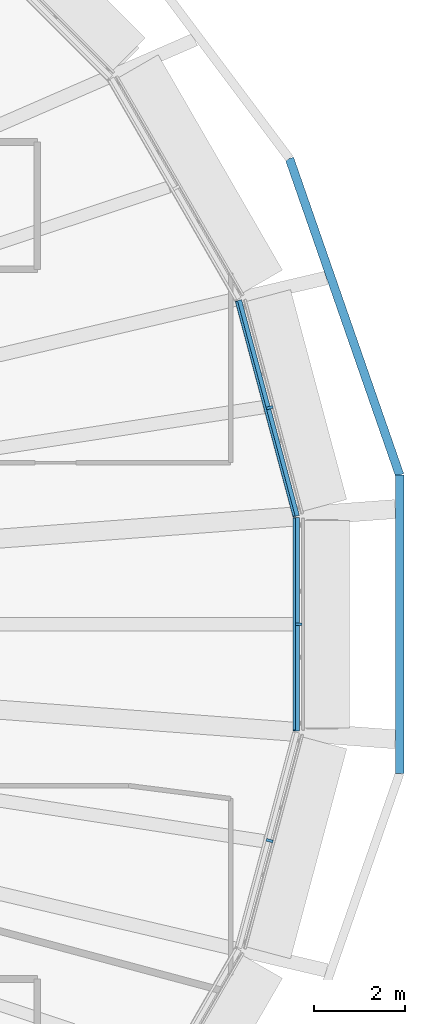
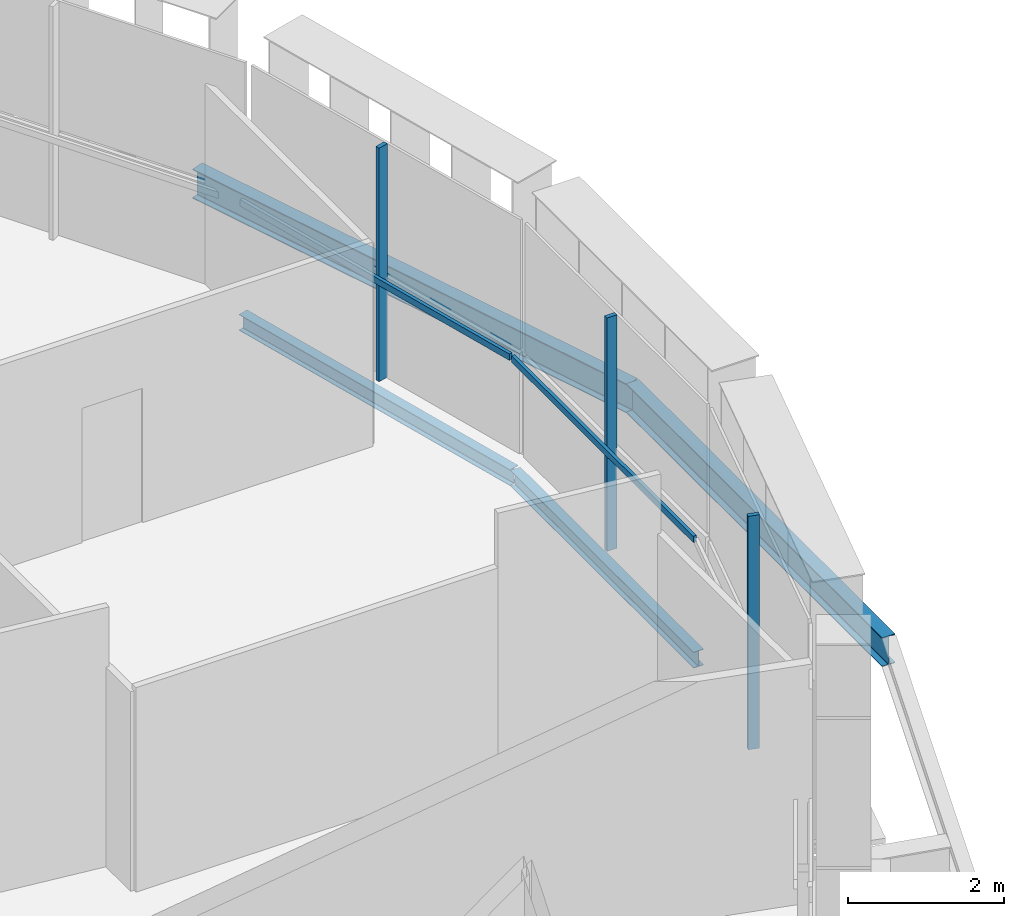
# One storey, part 11 of 24: 5 members, 4 beams, 3 elements without a shape of their own.
"""IFC4 building model written with IfcOpenShell, lengths in metres."""

import ifcopenshell
import ifcopenshell.guid

model = None  # the IFC model being written
_history = None  # IfcOwnerHistory: only IFC2X3 demands one
_inside = {}  # id of a spatial element -> (the spatial element, [elements in it])
_under = {}  # id of a project, library or spatial element -> (it, [spatial elements below it])
_declared = {}  # id of a project -> (the project, [libraries it declares])
_typed = {}  # id of a type object -> (the type object, [elements of that type])
_made_of = {}  # id of a material, layer set ... -> (it, [elements and type objects made of it])


def new_model(schema):
    """Start an empty IFC model of exactly this schema.

    Asked for "IFC4X3", IfcOpenShell would pick the latest addendum, in which some entities
    have other attributes; the version numbers below select the first issue.
    IFC2X3 requires an IfcOwnerHistory on every rooted entity: one is made here for all.
    """
    global model, _history
    if schema == "IFC4X3":
        model = ifcopenshell.file(schema_version=(4, 3, 0, 0))
    else:
        model = ifcopenshell.file(schema=schema)
    _inside.clear()
    _under.clear()
    _declared.clear()
    _typed.clear()
    _made_of.clear()
    _history = None
    if model.schema == "IFC2X3":
        org = make("IfcOrganization", Name="unknown")
        user = make(
            "IfcPersonAndOrganization",
            ThePerson=make("IfcPerson", FamilyName="unknown"),
            TheOrganization=org,
        )
        app = make(
            "IfcApplication",
            ApplicationDeveloper=org,
            Version="unknown",
            ApplicationFullName="unknown",
            ApplicationIdentifier="unknown",
        )
        _history = make(
            "IfcOwnerHistory",
            OwningUser=user,
            OwningApplication=app,
            ChangeAction="ADDED",
            CreationDate=0,
        )
    return model


def make(cls, **values):
    """One entity of the class cls with the attributes given. An attribute that is None is left unset."""
    return model.create_entity(
        cls, **{name: value for name, value in values.items() if value is not None}
    )


def rooted(cls, **values):
    """An entity with a GlobalId (a new one), such as an element, a storey or a relation."""
    return make(cls, GlobalId=ifcopenshell.guid.new(), OwnerHistory=_history, **values)


def si_unit(unit_type, name, prefix=None):
    """IfcSIUnit, for example si_unit("LENGTHUNIT", "METRE", prefix="MILLI")."""
    return make("IfcSIUnit", UnitType=unit_type, Prefix=prefix, Name=name)


def assignment(units):
    """IfcUnitAssignment: the units of a project."""
    return None if units is None else make("IfcUnitAssignment", Units=units)


def point(xyz):
    """IfcCartesianPoint."""
    return None if xyz is None else make("IfcCartesianPoint", Coordinates=xyz)


def direction(xyz):
    """IfcDirection."""
    return None if xyz is None else make("IfcDirection", DirectionRatios=xyz)


def frame(location, z_axis=None, x_axis=None):
    """IfcAxis2Placement3D, a coordinate frame: its origin and axes. An axis left out is left unset."""
    return make(
        "IfcAxis2Placement3D",
        Location=point(location),
        Axis=direction(z_axis),
        RefDirection=direction(x_axis),
    )


def frame_2d(location, x_axis=None):
    """IfcAxis2Placement2D, a coordinate frame in the plane: its origin and x axis."""
    return make(
        "IfcAxis2Placement2D", Location=point(location), RefDirection=direction(x_axis)
    )


def origin():
    """The frame at (0, 0, 0) with its axes left unset."""
    return frame((0.0, 0.0, 0.0))


def origin_2d():
    """The frame at (0, 0) in the plane with its x axis left unset."""
    return frame_2d((0.0, 0.0))


def place(relative_to, where):
    """IfcLocalPlacement: puts the frame where relative to a parent placement (None: the world)."""
    return make(
        "IfcLocalPlacement", PlacementRelTo=relative_to, RelativePlacement=where
    )


def context(
    kind, dimensions, precision=None, world=None, true_north=None, identifier=None
):
    """IfcGeometricRepresentationContext, for example the 3D "Model" context."""
    return make(
        "IfcGeometricRepresentationContext",
        ContextIdentifier=identifier,
        ContextType=kind,
        CoordinateSpaceDimension=dimensions,
        Precision=precision,
        WorldCoordinateSystem=world,
        TrueNorth=true_north,
    )


def subcontext(parent, identifier, kind, view, scale=None):
    """IfcGeometricRepresentationSubContext, for example "Body" below "Model"."""
    return make(
        "IfcGeometricRepresentationSubContext",
        ContextIdentifier=identifier,
        ContextType=kind,
        ParentContext=parent,
        TargetScale=scale,
        TargetView=view,
    )


def project(units=None, contexts=None):
    """IfcProject with its units and contexts."""
    return rooted(
        "IfcProject",
        Name="project",
        RepresentationContexts=contexts,
        UnitsInContext=assignment(units),
    )


def spatial(cls, under=None, at=None, **own):
    """A site, building, storey or space (cls), placed at a placement, below another one or the project."""
    s = rooted(cls, ObjectPlacement=at, **own)
    if under is not None:
        _under.setdefault(under.id(), (under, []))[1].append(s)
    return s


def profile(cls, at=None, kind="AREA", **sizes):
    """A parametric profile (cls). Its sizes go by their IFC names, for example OverallWidth=200.0."""
    return make(cls, ProfileType=kind, Position=at, **sizes)


def rectangle(**sizes):
    """IfcRectangleProfileDef."""
    return profile("IfcRectangleProfileDef", **sizes)


def i_section(**sizes):
    """IfcIShapeProfileDef."""
    return profile("IfcIShapeProfileDef", **sizes)


def extrude(swept, where, along, depth):
    """IfcExtrudedAreaSolid: the profile swept, set in the frame where, extruded along a direction by depth."""
    return make(
        "IfcExtrudedAreaSolid",
        SweptArea=swept,
        Position=where,
        ExtrudedDirection=direction(along),
        Depth=depth,
    )


def shape(context_of_items, identifier, shape_type, items):
    """IfcShapeRepresentation: the items that make up one representation, for example the "Body"."""
    return make(
        "IfcShapeRepresentation",
        ContextOfItems=context_of_items,
        RepresentationIdentifier=identifier,
        RepresentationType=shape_type,
        Items=items,
    )


def material(Name=None, Category=None):
    """IfcMaterial."""
    return make("IfcMaterial", Name=Name, Category=Category)


def layer(
    of_material, thickness, ventilated=None, Name=None, Category=None, Priority=None
):
    """IfcMaterialLayer: one layer of a wall or slab, of a material (None: an air gap)."""
    return make(
        "IfcMaterialLayer",
        Material=of_material,
        LayerThickness=thickness,
        IsVentilated=ventilated,
        Name=Name,
        Category=Category,
        Priority=Priority,
    )


def layer_set(layers, Name=None):
    """IfcMaterialLayerSet."""
    return make("IfcMaterialLayerSet", MaterialLayers=layers, LayerSetName=Name)


def material_profile(
    of_material, cross_section, Name=None, Category=None, Priority=None
):
    """IfcMaterialProfile: a cross section and its material."""
    return make(
        "IfcMaterialProfile",
        Name=Name,
        Material=of_material,
        Profile=cross_section,
        Priority=Priority,
        Category=Category,
    )


def profile_set(profiles, Name=None, composite=None):
    """IfcMaterialProfileSet."""
    return make(
        "IfcMaterialProfileSet",
        Name=Name,
        MaterialProfiles=profiles,
        CompositeProfile=composite,
    )


def made_of(thing, what):
    """Note that an element or type object is made of a material, layer set ...; save() writes the relation."""
    if what is not None:
        _made_of.setdefault(what.id(), (what, []))[1].append(thing)
    return thing


def type_object(cls, material=None, **own):
    """A type object (cls), such as IfcWallType, which elements share."""
    return made_of(rooted(cls, **own), material)


def element(
    cls,
    number,
    at=None,
    inside=None,
    cuts=None,
    type_object=None,
    material=None,
    context=None,
    identifier="Body",
    shape_type=None,
    held_by="IfcProductDefinitionShape",
    body=None,
    shapes=None,
    **own,
):
    """One element of the class cls, such as IfcWall. Its Tag is "e" and its number.

    at: its placement. inside: the storey or other place that contains it. cuts: it is an
    opening in that element (IfcRelVoidsElement). A single representation is given by context,
    identifier, shape_type and body (its items); several are given by shapes. held_by: the class
    of the entity that holds the representations. save() writes the other relations.
    """
    e = rooted(cls, Tag="e%d" % number, ObjectPlacement=at, **own)
    if body is not None:
        shapes = [shape(context, identifier, shape_type, body)]
    if shapes is not None:
        e.Representation = make(held_by, Representations=shapes)
    if inside is not None:
        _inside.setdefault(inside.id(), (inside, []))[1].append(e)
    if cuts is not None:
        rooted(
            "IfcRelVoidsElement", RelatingBuildingElement=cuts, RelatedOpeningElement=e
        )
    if type_object is not None:
        _typed.setdefault(type_object.id(), (type_object, []))[1].append(e)
    return made_of(e, material)


def aggregate(whole, parts):
    """IfcRelAggregates: a whole, such as a stair, and the parts it consists of."""
    return rooted("IfcRelAggregates", RelatingObject=whole, RelatedObjects=parts)


def save(model, path):
    """Write the relations noted so far, then the file.

    IfcRelAggregates (storeys below a building ...), IfcRelContainedInSpatialStructure (elements
    in a storey), IfcRelDefinesByType, IfcRelAssociatesMaterial and IfcRelDeclares: one each for
    every whole, place, type object, material and project.
    """
    for whole, parts in _under.values():
        aggregate(whole, parts)
    for where, things in _inside.values():
        rooted(
            "IfcRelContainedInSpatialStructure",
            RelatedElements=things,
            RelatingStructure=where,
        )
    for kind, things in _typed.values():
        rooted("IfcRelDefinesByType", RelatedObjects=things, RelatingType=kind)
    for what, things in _made_of.values():
        rooted("IfcRelAssociatesMaterial", RelatedObjects=things, RelatingMaterial=what)
    for by, libraries in _declared.values():
        rooted("IfcRelDeclares", RelatingContext=by, RelatedDefinitions=libraries)
    model.write(path)


model = new_model("IFC4")

# Units and contexts
model_context = context("Model", 3, precision=1e-05, world=origin(), true_north=direction((0.0, 1.0)))
body_context = subcontext(model_context, "Body", "Model", "MODEL_VIEW")
ifc_project = project(units=[si_unit("LENGTHUNIT", "METRE"), si_unit("AREAUNIT", "SQUARE_METRE"), si_unit("VOLUMEUNIT", "CUBIC_METRE"), si_unit("PLANEANGLEUNIT", "RADIAN"), si_unit("MASSUNIT", "GRAM", prefix="KILO")], contexts=[model_context])

# Site, building, storey
site_placement = place(None, origin())
site = spatial("IfcSite", under=ifc_project, at=site_placement, CompositionType="ELEMENT")
building_placement = place(site_placement, origin())
building = spatial("IfcBuilding", under=site, at=building_placement, Name="Sahrelin Media Tower", CompositionType="ELEMENT")
storey_placement = place(building_placement, frame((0.0, 0.0, 123.0)))
storey = spatial("IfcBuildingStorey", under=building, at=storey_placement, Name="L24", CompositionType="ELEMENT", Elevation=123.0)

# Beams
ifc_material_1 = material(Name="Steel S355", Category="steel")
ifc_material_profile_1 = material_profile(ifc_material_1, i_section(OverallWidth=0.14599609375, OverallDepth=0.25146484375, WebThickness=0.006103515625, FlangeThickness=0.008544921875, FilletRadius=0.007568359375, at=origin_2d()), Name="UB 254x146x31")
ifc_profile_set_1 = profile_set([ifc_material_profile_1], Name="Steel S355")
beam_type_1 = type_object("IfcBeamType", Name="Edge beam EB1", PredefinedType="BEAM", material=ifc_profile_set_1)
beam_1_placement = place(storey_placement, frame((31.6923828125, 2.344970703125, -0.275634765625), z_axis=(0.0, -1.0, 0.0), x_axis=(1.0, 0.0, 0.0)))
element("IfcBeam", 1, at=beam_1_placement, inside=storey, type_object=beam_type_1, Name="Edge beam L24-01", PredefinedType="BEAM", context=body_context, shape_type="SweptSolid", body=[
    extrude(i_section(OverallWidth=0.14599609375, OverallDepth=0.25146484375, WebThickness=0.006103515625, FlangeThickness=0.008544921875, FilletRadius=0.007568359375, at=origin_2d()), origin(), (0.0, 0.0, 1.0), 4.68994140625),
])
beam_2_placement = place(storey_placement, frame((30.41845703125, 7.1142578125, -0.275634765625), z_axis=(0.258817308442, -0.965926291624, 0.0), x_axis=(0.965926291624, 0.258817308442, 0.0)))
element("IfcBeam", 2, at=beam_2_placement, inside=storey, type_object=beam_type_1, Name="Edge beam L24-20", PredefinedType="BEAM", context=body_context, shape_type="SweptSolid", body=[
    extrude(i_section(OverallWidth=0.14599609375, OverallDepth=0.25146484375, WebThickness=0.006103515625, FlangeThickness=0.008544921875, FilletRadius=0.007568359375, at=origin_2d()), origin(), (0.0, 0.0, 1.0), 4.907958984375),
])

# Curtain wall, member
ifc_material_2 = material(Name="Champagne anodised aluminium 6063-T6", Category="aluminium")
ifc_layer = layer(ifc_material_2, 0.14990234375)
ifc_layer_set = layer_set([ifc_layer], Name="Tower ribbon curtain wall")
curtain_wall_type = type_object("IfcCurtainWallType", Name="Tower ribbon curtain wall", PredefinedType="NOTDEFINED", material=ifc_layer_set)
curtain_wall_1_placement = place(storey_placement, frame((31.84228515625, 0.0, 0.0), z_axis=(0.0, 0.0, 1.0), x_axis=(1.0, 0.0, 0.0)))
curtain_wall_1 = element("IfcCurtainWall", 3, at=curtain_wall_1_placement, inside=storey, type_object=curtain_wall_type, Name="L24:CW:L24-00", PredefinedType="NOTDEFINED")
ifc_material_profile_2 = material_profile(ifc_material_2, rectangle(XDim=0.06005859375, YDim=0.14990234375, at=origin_2d()), Name="Mullion 60x150")
ifc_profile_set_2 = profile_set([ifc_material_profile_2], Name="Champagne anodised aluminium 6063-T6")
member_type_1 = type_object("IfcMemberType", Name="Mullion 60x150 CW1", PredefinedType="MULLION", material=ifc_profile_set_2)
member_1_placement = place(storey_placement, frame((31.747314453125, 0.0, 0.0), z_axis=(0.0, 0.0, 1.0), x_axis=(0.0, 1.0, 0.0)))
member_1 = element("IfcMember", 4, at=member_1_placement, type_object=member_type_1, Name="L24:CWM:L24-00", PredefinedType="MULLION", context=body_context, shape_type="SweptSolid", body=[
    extrude(rectangle(XDim=0.06005859375, YDim=0.14990234375, at=origin_2d()), origin(), (0.0, 0.0, 1.0), 3.648681640625),
])

curtain_wall_2_placement = place(storey_placement, frame((31.198486328125, 4.78271484375, 0.0), z_axis=(0.0, 0.0, 1.0), x_axis=(1.0, 0.0, 0.0)))
curtain_wall_2 = element("IfcCurtainWall", 5, at=curtain_wall_2_placement, inside=storey, type_object=curtain_wall_type, Name="L24:CW:L24-01", PredefinedType="NOTDEFINED")
member_2_placement = place(storey_placement, frame((31.106689453125, 4.758056640625, 0.0), z_axis=(0.0, 0.0, 1.0), x_axis=(-0.258812301662, 0.965927633163, 0.0)))
member_2 = element("IfcMember", 6, at=member_2_placement, type_object=member_type_1, Name="L24:CWM:L24-01", PredefinedType="MULLION", context=body_context, shape_type="SweptSolid", body=[
    extrude(rectangle(XDim=0.06005859375, YDim=0.14990234375, at=origin_2d()), origin(), (0.0, 0.0, 1.0), 3.648681640625),
])

curtain_wall_3_placement = place(storey_placement, frame((31.198486328125, -4.78271484375, 0.0), z_axis=(0.0, 0.0, 1.0), x_axis=(1.0, 0.0, 0.0)))
curtain_wall_3 = element("IfcCurtainWall", 7, at=curtain_wall_3_placement, inside=storey, type_object=curtain_wall_type, Name="L24:CW:L24-23", PredefinedType="NOTDEFINED")
member_3_placement = place(storey_placement, frame((31.106689453125, -4.758056640625, 0.0), z_axis=(0.0, 0.0, 1.0), x_axis=(0.258812301662, 0.965927633163, 0.0)))
member_3 = element("IfcMember", 8, at=member_3_placement, type_object=member_type_1, Name="L24:CWM:L24-23", PredefinedType="MULLION", context=body_context, shape_type="SweptSolid", body=[
    extrude(rectangle(XDim=0.06005859375, YDim=0.14990234375, at=origin_2d()), origin(), (0.0, 0.0, 1.0), 3.648681640625),
])
aggregate(curtain_wall_3, [member_3])

# Beams
ifc_material_profile_3 = material_profile(ifc_material_1, i_section(OverallWidth=0.1904296875, OverallDepth=0.45703125, WebThickness=0.009033203125, FlangeThickness=0.014404296875, FilletRadius=0.01025390625, at=origin_2d()), Name="UB 457x191x74")
ifc_profile_set_3 = profile_set([ifc_material_profile_3], Name="Steel S355")
beam_type_2 = type_object("IfcBeamType", Name="Tie chord TC5", PredefinedType="BEAM", material=ifc_profile_set_3)
beam_3_placement = place(storey_placement, frame((33.964111328125, 3.276611328125, -0.37841796875), z_axis=(-0.328777707888, 0.944407337326, 0.0), x_axis=(-0.944407337326, -0.328777707888, 0.0)))
element("IfcBeam", 9, at=beam_3_placement, inside=storey, type_object=beam_type_2, Name="Tie chord L24-01", PredefinedType="BEAM", context=body_context, shape_type="SweptSolid", body=[
    extrude(i_section(OverallWidth=0.1904296875, OverallDepth=0.45703125, WebThickness=0.009033203125, FlangeThickness=0.014404296875, FilletRadius=0.01025390625, at=origin_2d()), origin(), (0.0, 0.0, 1.0), 7.3662109375),
])
beam_4_placement = place(storey_placement, frame((33.964111328125, -3.276611328125, -0.37841796875), z_axis=(0.0, 1.0, 0.0), x_axis=(-1.0, 0.0, 0.0)))
element("IfcBeam", 10, at=beam_4_placement, inside=storey, type_object=beam_type_2, Name="Tie chord L24-24", PredefinedType="BEAM", context=body_context, shape_type="SweptSolid", body=[
    extrude(i_section(OverallWidth=0.1904296875, OverallDepth=0.45703125, WebThickness=0.009033203125, FlangeThickness=0.014404296875, FilletRadius=0.01025390625, at=origin_2d()), origin(), (0.0, 0.0, 1.0), 6.55322265625),
])

# Member
ifc_material_profile_4 = material_profile(ifc_material_2, rectangle(XDim=0.050048828125, YDim=0.10009765625, at=origin_2d()), Name="Transom 50x100")
ifc_profile_set_4 = profile_set([ifc_material_profile_4], Name="Champagne anodised aluminium 6063-T6")
member_type_2 = type_object("IfcMemberType", Name="Transom 50x100 CW1", PredefinedType="USERDEFINED", material=ifc_profile_set_4)
member_4_placement = place(storey_placement, frame((31.6474609375, -2.3291015625, 1.60009765625), z_axis=(0.0, 1.0, 0.0), x_axis=(-1.0, 0.0, 0.0)))
member_4 = element("IfcMember", 11, at=member_4_placement, type_object=member_type_2, Name="L24:CWT:L24-00", ObjectType="TRANSOM", PredefinedType="USERDEFINED", context=body_context, shape_type="SweptSolid", body=[
    extrude(rectangle(XDim=0.050048828125, YDim=0.10009765625, at=origin_2d()), origin(), (0.0, 0.0, 1.0), 4.658203125),
])

aggregate(curtain_wall_1, [member_1, member_4])

member_5_placement = place(storey_placement, frame((31.64111328125, 2.376953125, 1.60009765625), z_axis=(-0.25882783967, 0.965923469749, 0.0), x_axis=(-0.965923469749, -0.25882783967, 0.0)))
member_5 = element("IfcMember", 12, at=member_5_placement, type_object=member_type_2, Name="L24:CWT:L24-01", ObjectType="TRANSOM", PredefinedType="USERDEFINED", context=body_context, shape_type="SweptSolid", body=[
    extrude(rectangle(XDim=0.050048828125, YDim=0.10009765625, at=origin_2d()), origin(), (0.0, 0.0, 1.0), 4.876708984375),
])

aggregate(curtain_wall_2, [member_2, member_5])

save(model, "model.ifc")
